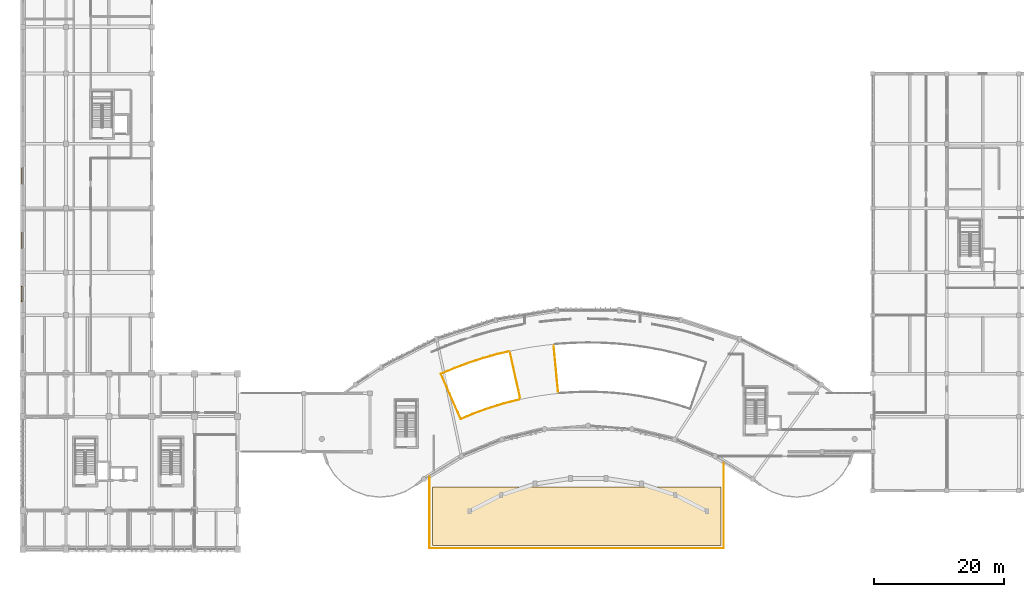
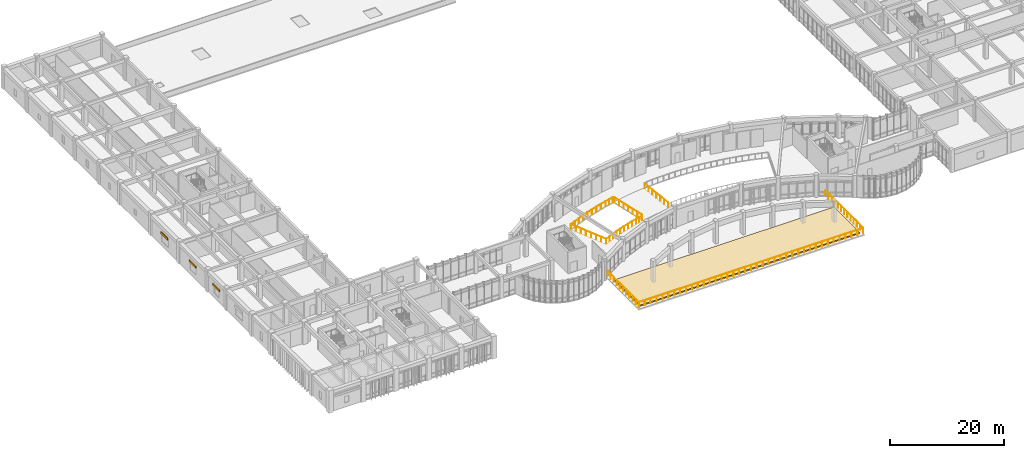
# One storey, part 61 of 65: 5 railings, 3 shading devices, 1 covering.
"""IFC4 building model written with IfcOpenShell, lengths in metres."""

from ifc_helpers import new_model, si_unit, direction, frame, origin, origin_2d, place, context, subcontext, project, spatial, polyline, rectangle, circle, outline, extrude, material, layer, layer_set, type_object, element, save


model = new_model("IFC4")

# Units and contexts
model_context = context("Model", 3, precision=1e-05, world=origin(), true_north=direction((0.0, 1.0)))
body_context = subcontext(model_context, "Body", "Model", "MODEL_VIEW")
ifc_project = project(units=[si_unit("LENGTHUNIT", "METRE"), si_unit("AREAUNIT", "SQUARE_METRE"), si_unit("VOLUMEUNIT", "CUBIC_METRE"), si_unit("PLANEANGLEUNIT", "RADIAN"), si_unit("MASSUNIT", "GRAM", prefix="KILO")], contexts=[model_context])

# Site, building, storey
site_placement = place(None, origin())
site = spatial("IfcSite", under=ifc_project, at=site_placement, CompositionType="ELEMENT")
building_placement = place(site_placement, origin())
building = spatial("IfcBuilding", under=site, at=building_placement, Name="Miralva Faculty of Natural Sciences", CompositionType="ELEMENT")
storey_placement = place(building_placement, frame((0.0, 0.0, 10.199951171875)))
storey = spatial("IfcBuildingStorey", under=building, at=storey_placement, Name="L02", CompositionType="ELEMENT", Elevation=10.199951171875)

# Covering
ifc_material_1 = material(Name="Planted green-roof substrate soil")
ifc_layer_1 = layer(ifc_material_1, 0.25, Name="COV-RF02")
ifc_layer_set_1 = layer_set([ifc_layer_1], Name="Planted green-roof substrate soil")
covering_type = type_object("IfcCoveringType", Name="COV-RF02", PredefinedType="ROOFING", material=ifc_layer_set_1)
covering_placement = place(storey_placement, origin())
element("IfcCovering", 1, at=covering_placement, inside=storey, type_object=covering_type, Name="Roof membrane and substrate L02-2", PredefinedType="ROOFING", context=body_context, shape_type="SweptSolid", body=[
    extrude(outline(polyline([(66.0, 3.60009765625), (66.0, 12.60009765625), (110.39990234375, 12.60009765625), (110.39990234375, 3.60009765625), (66.0, 3.60009765625)])), origin(), (0.0, 0.0, 1.0), 0.25),
])

# Railings
ifc_material_2 = material(Name="White powder-coated steel balustrade", Category="steel")
railing_type_1 = type_object("IfcRailingType", Name="RL-GR02", PredefinedType="BALUSTRADE", material=ifc_material_2)
railing_1_placement = place(storey_placement, frame((70.395263671875, 23.032958984375, 0.0)))
element("IfcRailing", 2, at=railing_1_placement, inside=storey, type_object=railing_type_1, Name="Atrium curved white gallery balustrade L02-11", PredefinedType="BALUSTRADE", context=body_context, shape_type="SweptSolid", body=[
    extrude(circle(Radius=0.02392578125, at=origin_2d()), frame((0.0, 0.0, 1.09619140625), z_axis=(-0.406725561135, 0.91355039156, 0.0), x_axis=(-0.91355039156, -0.406725561135, 0.0)), (0.0, 0.0, 1.0), 7.599853515625),
    extrude(circle(Radius=0.02392578125, at=origin_2d()), frame((-3.091064453125, 6.94287109375, 1.09619140625), z_axis=(0.921826899722, 0.387601814946, 0.0), x_axis=(-0.387601814946, 0.921826899722, 0.0)), (0.0, 0.0, 1.0), 2.326171875),
    extrude(circle(Radius=0.02392578125, at=origin_2d()), frame((-0.94677734375, 7.844482421875, 1.09619140625), z_axis=(0.937158825962, 0.34890304516, 0.0), x_axis=(-0.34890304516, 0.937158825962, 0.0)), (0.0, 0.0, 1.0), 2.32666015625),
    extrude(circle(Radius=0.02392578125, at=origin_2d()), frame((1.233642578125, 8.65625, 1.09619140625), z_axis=(0.950936073236, 0.309387434488, 0.0), x_axis=(-0.309387434488, 0.950936073236, 0.0)), (0.0, 0.0, 1.0), 2.326416015625),
    extrude(circle(Radius=0.02392578125, at=origin_2d()), frame((3.44580078125, 9.3759765625, 1.09619140625), z_axis=(0.962971648832, 0.269602677185, 0.0), x_axis=(-0.269602677185, 0.962971648832, 0.0)), (0.0, 0.0, 1.0), 2.326416015625),
    extrude(circle(Radius=0.02392578125, at=origin_2d()), frame((5.68603515625, 10.003173828125, 1.09619140625), z_axis=(0.973362947401, 0.229269650471, 0.0), x_axis=(-0.229269650471, 0.973362947401, 0.0)), (0.0, 0.0, 1.0), 1.71337890625),
    extrude(circle(Radius=0.02099609375, at=origin_2d()), origin(), (0.0, 0.0, 1.0), 1.072021484375),
    extrude(circle(Radius=0.02099609375, at=origin_2d()), frame((-0.441650390625, 0.991943359375, 0.0)), (0.0, 0.0, 1.0), 1.072021484375),
    extrude(circle(Radius=0.02099609375, at=origin_2d()), frame((-0.883056640625, 1.983642578125, 0.0)), (0.0, 0.0, 1.0), 1.072021484375),
    extrude(circle(Radius=0.02099609375, at=origin_2d()), frame((-1.32470703125, 2.9755859375, 0.0)), (0.0, 0.0, 1.0), 1.072021484375),
    extrude(circle(Radius=0.02099609375, at=origin_2d()), frame((-1.766357421875, 3.96728515625, 0.0)), (0.0, 0.0, 1.0), 1.072021484375),
    extrude(circle(Radius=0.02099609375, at=origin_2d()), frame((-2.2080078125, 4.959228515625, 0.0)), (0.0, 0.0, 1.0), 1.072021484375),
    extrude(circle(Radius=0.02099609375, at=origin_2d()), frame((-2.6494140625, 5.950927734375, 0.0)), (0.0, 0.0, 1.0), 1.072021484375),
    extrude(circle(Radius=0.02099609375, at=origin_2d()), frame((-3.091064453125, 6.94287109375, 0.0)), (0.0, 0.0, 1.0), 1.072021484375),
    extrude(circle(Radius=0.02099609375, at=origin_2d()), frame((-2.01904296875, 7.3935546875, 0.0)), (0.0, 0.0, 1.0), 1.072021484375),
    extrude(circle(Radius=0.02099609375, at=origin_2d()), frame((-0.94677734375, 7.844482421875, 0.0)), (0.0, 0.0, 1.0), 1.072021484375),
    extrude(circle(Radius=0.02099609375, at=origin_2d()), frame((0.1435546875, 8.25048828125, 0.0)), (0.0, 0.0, 1.0), 1.072021484375),
    extrude(circle(Radius=0.02099609375, at=origin_2d()), frame((1.233642578125, 8.65625, 0.0)), (0.0, 0.0, 1.0), 1.072021484375),
    extrude(circle(Radius=0.02099609375, at=origin_2d()), frame((2.33984375, 9.01611328125, 0.0)), (0.0, 0.0, 1.0), 1.072021484375),
    extrude(circle(Radius=0.02099609375, at=origin_2d()), frame((3.44580078125, 9.3759765625, 0.0)), (0.0, 0.0, 1.0), 1.072021484375),
    extrude(circle(Radius=0.02099609375, at=origin_2d()), frame((4.56591796875, 9.689453125, 0.0)), (0.0, 0.0, 1.0), 1.072021484375),
    extrude(circle(Radius=0.02099609375, at=origin_2d()), frame((5.68603515625, 10.003173828125, 0.0)), (0.0, 0.0, 1.0), 1.072021484375),
    extrude(circle(Radius=0.02099609375, at=origin_2d()), frame((6.52001953125, 10.19970703125, 0.0)), (0.0, 0.0, 1.0), 1.072021484375),
    extrude(circle(Radius=0.02099609375, at=origin_2d()), frame((7.353759765625, 10.39599609375, 0.0)), (0.0, 0.0, 1.0), 1.072021484375),
])
railing_2_placement = place(storey_placement, frame((79.393798828125, 26.010009765625, 0.0)))
element("IfcRailing", 3, at=railing_2_placement, inside=storey, type_object=railing_type_1, Name="Atrium curved white gallery balustrade L02-31", PredefinedType="BALUSTRADE", context=body_context, shape_type="SweptSolid", body=[
    extrude(circle(Radius=0.02392578125, at=origin_2d()), frame((0.0, 0.0, 1.09619140625), z_axis=(-0.97340396966, -0.22909542084, 0.0), x_axis=(0.22909542084, -0.97340396966, 0.0)), (0.0, 0.0, 1.0), 1.455810546875),
    extrude(circle(Radius=0.02392578125, at=origin_2d()), frame((-1.4169921875, -0.33349609375, 1.09619140625), z_axis=(-0.962972851952, -0.269598379824, 0.0), x_axis=(0.269598379824, -0.962972851952, 0.0)), (0.0, 0.0, 1.0), 2.009521484375),
    extrude(circle(Radius=0.02392578125, at=origin_2d()), frame((-3.35205078125, -0.875244140625, 1.09619140625), z_axis=(-0.950871431487, -0.309586047461, 0.0), x_axis=(0.309586047461, -0.950871431487, 0.0)), (0.0, 0.0, 1.0), 2.00927734375),
    extrude(circle(Radius=0.02392578125, at=origin_2d()), frame((-5.2626953125, -1.497314453125, 1.09619140625), z_axis=(-0.937195067945, -0.348805683182, 0.0), x_axis=(0.348805683182, -0.937195067945, 0.0)), (0.0, 0.0, 1.0), 2.009521484375),
    extrude(circle(Radius=0.02392578125, at=origin_2d()), frame((-7.14599609375, -2.1982421875, 1.09619140625), z_axis=(-0.921850195856, -0.38754640548, 0.0), x_axis=(0.38754640548, -0.921850195856, 0.0)), (0.0, 0.0, 1.0), 2.009521484375),
    extrude(circle(Radius=0.02099609375, at=origin_2d()), origin(), (0.0, 0.0, 1.0), 1.072021484375),
    extrude(circle(Radius=0.02099609375, at=origin_2d()), frame((-0.70849609375, -0.166748046875, 0.0)), (0.0, 0.0, 1.0), 1.072021484375),
    extrude(circle(Radius=0.02099609375, at=origin_2d()), frame((-1.4169921875, -0.33349609375, 0.0)), (0.0, 0.0, 1.0), 1.072021484375),
    extrude(circle(Radius=0.02099609375, at=origin_2d()), frame((-2.384521484375, -0.6044921875, 0.0)), (0.0, 0.0, 1.0), 1.072021484375),
    extrude(circle(Radius=0.02099609375, at=origin_2d()), frame((-3.35205078125, -0.875244140625, 0.0)), (0.0, 0.0, 1.0), 1.072021484375),
    extrude(circle(Radius=0.02099609375, at=origin_2d()), frame((-4.307373046875, -1.186279296875, 0.0)), (0.0, 0.0, 1.0), 1.072021484375),
    extrude(circle(Radius=0.02099609375, at=origin_2d()), frame((-5.2626953125, -1.497314453125, 0.0)), (0.0, 0.0, 1.0), 1.072021484375),
    extrude(circle(Radius=0.02099609375, at=origin_2d()), frame((-6.204345703125, -1.84765625, 0.0)), (0.0, 0.0, 1.0), 1.072021484375),
    extrude(circle(Radius=0.02099609375, at=origin_2d()), frame((-7.14599609375, -2.1982421875, 0.0)), (0.0, 0.0, 1.0), 1.072021484375),
    extrude(circle(Radius=0.02099609375, at=origin_2d()), frame((-8.072265625, -2.587646484375, 0.0)), (0.0, 0.0, 1.0), 1.072021484375),
    extrude(circle(Radius=0.02099609375, at=origin_2d()), frame((-8.99853515625, -2.97705078125, 0.0)), (0.0, 0.0, 1.0), 1.072021484375),
])
railing_3_placement = place(storey_placement, frame((84.6767578125, 34.28515625, 0.0)))
element("IfcRailing", 4, at=railing_3_placement, inside=storey, type_object=railing_type_1, Name="Atrium bridge balustrade L02-1", PredefinedType="BALUSTRADE", context=body_context, shape_type="SweptSolid", body=[
    extrude(circle(Radius=0.02392578125, at=origin_2d()), frame((0.0, 0.0, 1.09619140625), z_axis=(0.095815291396, -0.995399130969, 0.0), x_axis=(0.995399130969, 0.095815291396, 0.0)), (0.0, 0.0, 1.0), 7.098876953125),
    extrude(circle(Radius=0.02099609375, at=origin_2d()), origin(), (0.0, 0.0, 1.0), 1.072021484375),
    extrude(circle(Radius=0.02099609375, at=origin_2d()), frame((0.11328125, -1.177734375, 0.0)), (0.0, 0.0, 1.0), 1.072021484375),
    extrude(circle(Radius=0.02099609375, at=origin_2d()), frame((0.226806640625, -2.35546875, 0.0)), (0.0, 0.0, 1.0), 1.072021484375),
    extrude(circle(Radius=0.02099609375, at=origin_2d()), frame((0.340087890625, -3.533203125, 0.0)), (0.0, 0.0, 1.0), 1.072021484375),
    extrude(circle(Radius=0.02099609375, at=origin_2d()), frame((0.453369140625, -4.710693359375, 0.0)), (0.0, 0.0, 1.0), 1.072021484375),
    extrude(circle(Radius=0.02099609375, at=origin_2d()), frame((0.56689453125, -5.888427734375, 0.0)), (0.0, 0.0, 1.0), 1.072021484375),
    extrude(circle(Radius=0.02099609375, at=origin_2d()), frame((0.68017578125, -7.066162109375, 0.0)), (0.0, 0.0, 1.0), 1.072021484375),
])
railing_4_placement = place(storey_placement, frame((79.514892578125, 26.29541015625, 0.0)))
element("IfcRailing", 5, at=railing_4_placement, inside=storey, type_object=railing_type_1, Name="Atrium bridge balustrade L02-2", PredefinedType="BALUSTRADE", context=body_context, shape_type="SweptSolid", body=[
    extrude(circle(Radius=0.02392578125, at=origin_2d()), frame((0.0, 0.0, 1.09619140625), z_axis=(-0.216424270066, 0.976299408648, 0.0), x_axis=(-0.976299408648, -0.216424270066, 0.0)), (0.0, 0.0, 1.0), 7.098876953125),
    extrude(circle(Radius=0.02099609375, at=origin_2d()), origin(), (0.0, 0.0, 1.0), 1.072021484375),
    extrude(circle(Radius=0.02099609375, at=origin_2d()), frame((-0.256103515625, 1.155029296875, 0.0)), (0.0, 0.0, 1.0), 1.072021484375),
    extrude(circle(Radius=0.02099609375, at=origin_2d()), frame((-0.51220703125, 2.310302734375, 0.0)), (0.0, 0.0, 1.0), 1.072021484375),
    extrude(circle(Radius=0.02099609375, at=origin_2d()), frame((-0.76806640625, 3.46533203125, 0.0)), (0.0, 0.0, 1.0), 1.072021484375),
    extrude(circle(Radius=0.02099609375, at=origin_2d()), frame((-1.024169921875, 4.620361328125, 0.0)), (0.0, 0.0, 1.0), 1.072021484375),
    extrude(circle(Radius=0.02099609375, at=origin_2d()), frame((-1.2802734375, 5.775634765625, 0.0)), (0.0, 0.0, 1.0), 1.072021484375),
    extrude(circle(Radius=0.02099609375, at=origin_2d()), frame((-1.536376953125, 6.9306640625, 0.0)), (0.0, 0.0, 1.0), 1.072021484375),
])
ifc_material_3 = material(Name="Steel S355", Category="steel")
railing_type_2 = type_object("IfcRailingType", Name="RL-GR03", PredefinedType="GUARDRAIL", material=ifc_material_3)
railing_5_placement = place(storey_placement, frame((65.550048828125, 14.189697265625, 0.25)))
element("IfcRailing", 6, at=railing_5_placement, inside=storey, type_object=railing_type_2, Name="Walkable terrace perimeter safety guard L02", PredefinedType="GUARDRAIL", context=body_context, shape_type="SweptSolid", body=[
    extrude(circle(Radius=0.02392578125, at=origin_2d()), frame((0.0, 0.0, 1.09619140625), z_axis=(0.0, -1.0, 0.0), x_axis=(1.0, 0.0, 0.0)), (0.0, 0.0, 1.0), 11.039794921875),
    extrude(circle(Radius=0.02392578125, at=origin_2d()), frame((0.0, -11.039794921875, 1.09619140625), z_axis=(1.0, 0.0, 0.0), x_axis=(0.0, 1.0, 0.0)), (0.0, 0.0, 1.0), 45.300048828125),
    extrude(circle(Radius=0.02392578125, at=origin_2d()), frame((45.300048828125, -11.039794921875, 1.09619140625), z_axis=(0.0, 1.0, 0.0), x_axis=(-1.0, 0.0, 0.0)), (0.0, 0.0, 1.0), 13.285400390625),
    extrude(circle(Radius=0.02099609375, at=origin_2d()), origin(), (0.0, 0.0, 1.0), 1.072021484375),
    extrude(circle(Radius=0.02099609375, at=origin_2d()), frame((0.0, -1.10400390625, 0.0)), (0.0, 0.0, 1.0), 1.072021484375),
    extrude(circle(Radius=0.02099609375, at=origin_2d()), frame((0.0, -2.2080078125, 0.0)), (0.0, 0.0, 1.0), 1.072021484375),
    extrude(circle(Radius=0.02099609375, at=origin_2d()), frame((0.0, -3.31201171875, 0.0)), (0.0, 0.0, 1.0), 1.072021484375),
    extrude(circle(Radius=0.02099609375, at=origin_2d()), frame((0.0, -4.416015625, 0.0)), (0.0, 0.0, 1.0), 1.072021484375),
    extrude(circle(Radius=0.02099609375, at=origin_2d()), frame((0.0, -5.52001953125, 0.0)), (0.0, 0.0, 1.0), 1.072021484375),
    extrude(circle(Radius=0.02099609375, at=origin_2d()), frame((0.0, -6.623779296875, 0.0)), (0.0, 0.0, 1.0), 1.072021484375),
    extrude(circle(Radius=0.02099609375, at=origin_2d()), frame((0.0, -7.727783203125, 0.0)), (0.0, 0.0, 1.0), 1.072021484375),
    extrude(circle(Radius=0.02099609375, at=origin_2d()), frame((0.0, -8.831787109375, 0.0)), (0.0, 0.0, 1.0), 1.072021484375),
    extrude(circle(Radius=0.02099609375, at=origin_2d()), frame((0.0, -9.935791015625, 0.0)), (0.0, 0.0, 1.0), 1.072021484375),
    extrude(circle(Radius=0.02099609375, at=origin_2d()), frame((0.0, -11.039794921875, 0.0)), (0.0, 0.0, 1.0), 1.072021484375),
    extrude(circle(Radius=0.02099609375, at=origin_2d()), frame((1.192138671875, -11.039794921875, 0.0)), (0.0, 0.0, 1.0), 1.072021484375),
    extrude(circle(Radius=0.02099609375, at=origin_2d()), frame((2.38427734375, -11.039794921875, 0.0)), (0.0, 0.0, 1.0), 1.072021484375),
    extrude(circle(Radius=0.02099609375, at=origin_2d()), frame((3.576416015625, -11.039794921875, 0.0)), (0.0, 0.0, 1.0), 1.072021484375),
    extrude(circle(Radius=0.02099609375, at=origin_2d()), frame((4.768310546875, -11.039794921875, 0.0)), (0.0, 0.0, 1.0), 1.072021484375),
    extrude(circle(Radius=0.02099609375, at=origin_2d()), frame((5.96044921875, -11.039794921875, 0.0)), (0.0, 0.0, 1.0), 1.072021484375),
    extrude(circle(Radius=0.02099609375, at=origin_2d()), frame((7.152587890625, -11.039794921875, 0.0)), (0.0, 0.0, 1.0), 1.072021484375),
    extrude(circle(Radius=0.02099609375, at=origin_2d()), frame((8.3447265625, -11.039794921875, 0.0)), (0.0, 0.0, 1.0), 1.072021484375),
    extrude(circle(Radius=0.02099609375, at=origin_2d()), frame((9.536865234375, -11.039794921875, 0.0)), (0.0, 0.0, 1.0), 1.072021484375),
    extrude(circle(Radius=0.02099609375, at=origin_2d()), frame((10.72900390625, -11.039794921875, 0.0)), (0.0, 0.0, 1.0), 1.072021484375),
    extrude(circle(Radius=0.02099609375, at=origin_2d()), frame((11.921142578125, -11.039794921875, 0.0)), (0.0, 0.0, 1.0), 1.072021484375),
    extrude(circle(Radius=0.02099609375, at=origin_2d()), frame((13.11328125, -11.039794921875, 0.0)), (0.0, 0.0, 1.0), 1.072021484375),
    extrude(circle(Radius=0.02099609375, at=origin_2d()), frame((14.30517578125, -11.039794921875, 0.0)), (0.0, 0.0, 1.0), 1.072021484375),
    extrude(circle(Radius=0.02099609375, at=origin_2d()), frame((15.497314453125, -11.039794921875, 0.0)), (0.0, 0.0, 1.0), 1.072021484375),
    extrude(circle(Radius=0.02099609375, at=origin_2d()), frame((16.689453125, -11.039794921875, 0.0)), (0.0, 0.0, 1.0), 1.072021484375),
    extrude(circle(Radius=0.02099609375, at=origin_2d()), frame((17.881591796875, -11.039794921875, 0.0)), (0.0, 0.0, 1.0), 1.072021484375),
    extrude(circle(Radius=0.02099609375, at=origin_2d()), frame((19.07373046875, -11.039794921875, 0.0)), (0.0, 0.0, 1.0), 1.072021484375),
    extrude(circle(Radius=0.02099609375, at=origin_2d()), frame((20.265869140625, -11.039794921875, 0.0)), (0.0, 0.0, 1.0), 1.072021484375),
    extrude(circle(Radius=0.02099609375, at=origin_2d()), frame((21.4580078125, -11.039794921875, 0.0)), (0.0, 0.0, 1.0), 1.072021484375),
    extrude(circle(Radius=0.02099609375, at=origin_2d()), frame((22.64990234375, -11.039794921875, 0.0)), (0.0, 0.0, 1.0), 1.072021484375),
    extrude(circle(Radius=0.02099609375, at=origin_2d()), frame((23.842041015625, -11.039794921875, 0.0)), (0.0, 0.0, 1.0), 1.072021484375),
    extrude(circle(Radius=0.02099609375, at=origin_2d()), frame((25.0341796875, -11.039794921875, 0.0)), (0.0, 0.0, 1.0), 1.072021484375),
    extrude(circle(Radius=0.02099609375, at=origin_2d()), frame((26.226318359375, -11.039794921875, 0.0)), (0.0, 0.0, 1.0), 1.072021484375),
    extrude(circle(Radius=0.02099609375, at=origin_2d()), frame((27.41845703125, -11.039794921875, 0.0)), (0.0, 0.0, 1.0), 1.072021484375),
    extrude(circle(Radius=0.02099609375, at=origin_2d()), frame((28.610595703125, -11.039794921875, 0.0)), (0.0, 0.0, 1.0), 1.072021484375),
    extrude(circle(Radius=0.02099609375, at=origin_2d()), frame((29.802734375, -11.039794921875, 0.0)), (0.0, 0.0, 1.0), 1.072021484375),
    extrude(circle(Radius=0.02099609375, at=origin_2d()), frame((30.994873046875, -11.039794921875, 0.0)), (0.0, 0.0, 1.0), 1.072021484375),
    extrude(circle(Radius=0.02099609375, at=origin_2d()), frame((32.186767578125, -11.039794921875, 0.0)), (0.0, 0.0, 1.0), 1.072021484375),
    extrude(circle(Radius=0.02099609375, at=origin_2d()), frame((33.37890625, -11.039794921875, 0.0)), (0.0, 0.0, 1.0), 1.072021484375),
    extrude(circle(Radius=0.02099609375, at=origin_2d()), frame((34.571044921875, -11.039794921875, 0.0)), (0.0, 0.0, 1.0), 1.072021484375),
    extrude(circle(Radius=0.02099609375, at=origin_2d()), frame((35.76318359375, -11.039794921875, 0.0)), (0.0, 0.0, 1.0), 1.072021484375),
    extrude(circle(Radius=0.02099609375, at=origin_2d()), frame((36.955322265625, -11.039794921875, 0.0)), (0.0, 0.0, 1.0), 1.072021484375),
    extrude(circle(Radius=0.02099609375, at=origin_2d()), frame((38.1474609375, -11.039794921875, 0.0)), (0.0, 0.0, 1.0), 1.072021484375),
    extrude(circle(Radius=0.02099609375, at=origin_2d()), frame((39.339599609375, -11.039794921875, 0.0)), (0.0, 0.0, 1.0), 1.072021484375),
    extrude(circle(Radius=0.02099609375, at=origin_2d()), frame((40.53173828125, -11.039794921875, 0.0)), (0.0, 0.0, 1.0), 1.072021484375),
    extrude(circle(Radius=0.02099609375, at=origin_2d()), frame((41.7236328125, -11.039794921875, 0.0)), (0.0, 0.0, 1.0), 1.072021484375),
    extrude(circle(Radius=0.02099609375, at=origin_2d()), frame((42.915771484375, -11.039794921875, 0.0)), (0.0, 0.0, 1.0), 1.072021484375),
    extrude(circle(Radius=0.02099609375, at=origin_2d()), frame((44.10791015625, -11.039794921875, 0.0)), (0.0, 0.0, 1.0), 1.072021484375),
    extrude(circle(Radius=0.02099609375, at=origin_2d()), frame((45.300048828125, -11.039794921875, 0.0)), (0.0, 0.0, 1.0), 1.072021484375),
    extrude(circle(Radius=0.02099609375, at=origin_2d()), frame((45.300048828125, -9.9326171875, 0.0)), (0.0, 0.0, 1.0), 1.072021484375),
    extrude(circle(Radius=0.02099609375, at=origin_2d()), frame((45.300048828125, -8.82568359375, 0.0)), (0.0, 0.0, 1.0), 1.072021484375),
    extrude(circle(Radius=0.02099609375, at=origin_2d()), frame((45.300048828125, -7.718505859375, 0.0)), (0.0, 0.0, 1.0), 1.072021484375),
    extrude(circle(Radius=0.02099609375, at=origin_2d()), frame((45.300048828125, -6.611328125, 0.0)), (0.0, 0.0, 1.0), 1.072021484375),
    extrude(circle(Radius=0.02099609375, at=origin_2d()), frame((45.300048828125, -5.504150390625, 0.0)), (0.0, 0.0, 1.0), 1.072021484375),
    extrude(circle(Radius=0.02099609375, at=origin_2d()), frame((45.300048828125, -4.39697265625, 0.0)), (0.0, 0.0, 1.0), 1.072021484375),
    extrude(circle(Radius=0.02099609375, at=origin_2d()), frame((45.300048828125, -3.2900390625, 0.0)), (0.0, 0.0, 1.0), 1.072021484375),
    extrude(circle(Radius=0.02099609375, at=origin_2d()), frame((45.300048828125, -2.182861328125, 0.0)), (0.0, 0.0, 1.0), 1.072021484375),
    extrude(circle(Radius=0.02099609375, at=origin_2d()), frame((45.300048828125, -1.07568359375, 0.0)), (0.0, 0.0, 1.0), 1.072021484375),
    extrude(circle(Radius=0.02099609375, at=origin_2d()), frame((45.300048828125, 0.03125, 0.0)), (0.0, 0.0, 1.0), 1.072021484375),
    extrude(circle(Radius=0.02099609375, at=origin_2d()), frame((45.300048828125, 1.138427734375, 0.0)), (0.0, 0.0, 1.0), 1.072021484375),
    extrude(circle(Radius=0.02099609375, at=origin_2d()), frame((45.300048828125, 2.24560546875, 0.0)), (0.0, 0.0, 1.0), 1.072021484375),
])

# Shading devices
ifc_material_4 = material(Name="Anodised aluminium", Category="aluminium")
ifc_layer_2 = layer(ifc_material_4, 0.1201171875, Name="SHD-SH01")
ifc_layer_set_2 = layer_set([ifc_layer_2], Name="Anodised aluminium")
shading_device_type = type_object("IfcShadingDeviceType", Name="SHD-SH01", PredefinedType="SHUTTER", material=ifc_layer_set_2)
for number, where, z_axis, x_axis, name in (
    (7, (2.780029296875, 42.300048828125, 2.52490234375), (0.0, 0.0, 1.0), (1.0, 0.0, 0.0), "West laboratory sun-shutter L02-2"),
    (8, (2.780029296875, 50.550048828125, 2.52490234375), (0.0, 0.0, 1.0), (1.0, 0.0, 0.0), "West laboratory sun-shutter L02-3"),
    (9, (2.780029296875, 60.449951171875, 2.52490234375), (0.0, 0.0, 1.0), (1.0, 0.0, 0.0), "West laboratory sun-shutter L02-4"),
):
    element("IfcShadingDevice", number, at=place(storey_placement, frame(where, z_axis=z_axis, x_axis=x_axis)), inside=storey, type_object=shading_device_type, Name=name, PredefinedType="SHUTTER", context=body_context, shape_type="SweptSolid", body=[
        extrude(rectangle(XDim=0.199951171875, YDim=2.39990234375, at=origin_2d()), origin(), (0.0, 0.0, 1.0), 0.449951171875),
    ])

save(model, "model.ifc")
